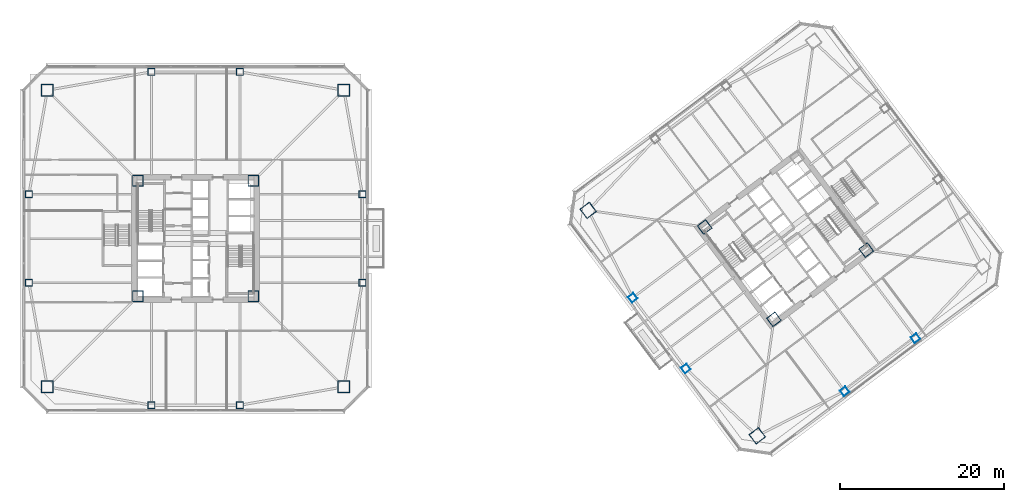
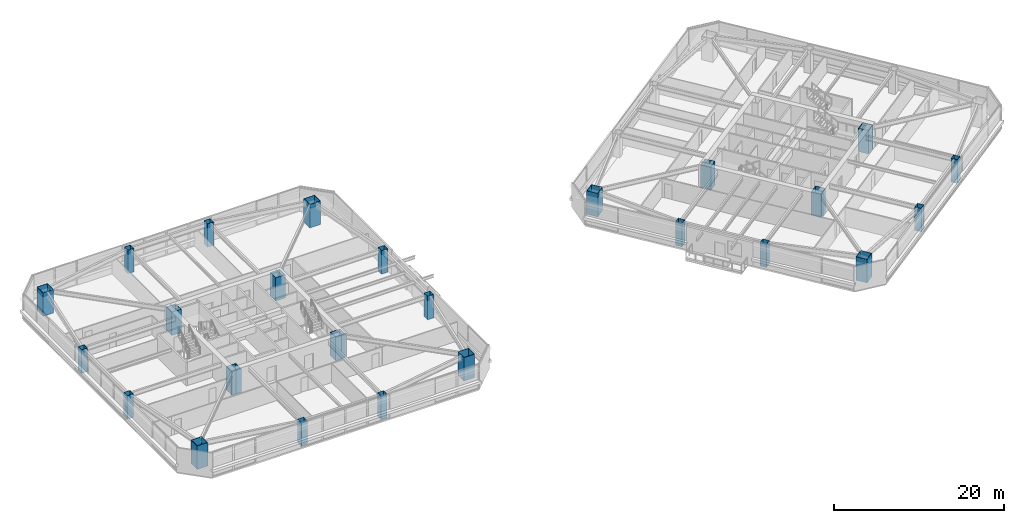
# One storey, part 1 of 44: 25 columns.
"""IFC4 building model written with IfcOpenShell, lengths in metres."""

import ifcopenshell
import ifcopenshell.guid

model = None  # the IFC model being written
_history = None  # IfcOwnerHistory: only IFC2X3 demands one
_inside = {}  # id of a spatial element -> (the spatial element, [elements in it])
_under = {}  # id of a project, library or spatial element -> (it, [spatial elements below it])
_declared = {}  # id of a project -> (the project, [libraries it declares])
_typed = {}  # id of a type object -> (the type object, [elements of that type])
_made_of = {}  # id of a material, layer set ... -> (it, [elements and type objects made of it])


def new_model(schema):
    """Start an empty IFC model of exactly this schema.

    Asked for "IFC4X3", IfcOpenShell would pick the latest addendum, in which some entities
    have other attributes; the version numbers below select the first issue.
    IFC2X3 requires an IfcOwnerHistory on every rooted entity: one is made here for all.
    """
    global model, _history
    if schema == "IFC4X3":
        model = ifcopenshell.file(schema_version=(4, 3, 0, 0))
    else:
        model = ifcopenshell.file(schema=schema)
    _inside.clear()
    _under.clear()
    _declared.clear()
    _typed.clear()
    _made_of.clear()
    _history = None
    if model.schema == "IFC2X3":
        org = make("IfcOrganization", Name="unknown")
        user = make(
            "IfcPersonAndOrganization",
            ThePerson=make("IfcPerson", FamilyName="unknown"),
            TheOrganization=org,
        )
        app = make(
            "IfcApplication",
            ApplicationDeveloper=org,
            Version="unknown",
            ApplicationFullName="unknown",
            ApplicationIdentifier="unknown",
        )
        _history = make(
            "IfcOwnerHistory",
            OwningUser=user,
            OwningApplication=app,
            ChangeAction="ADDED",
            CreationDate=0,
        )
    return model


def make(cls, **values):
    """One entity of the class cls with the attributes given. An attribute that is None is left unset."""
    return model.create_entity(
        cls, **{name: value for name, value in values.items() if value is not None}
    )


def rooted(cls, **values):
    """An entity with a GlobalId (a new one), such as an element, a storey or a relation."""
    return make(cls, GlobalId=ifcopenshell.guid.new(), OwnerHistory=_history, **values)


def si_unit(unit_type, name, prefix=None):
    """IfcSIUnit, for example si_unit("LENGTHUNIT", "METRE", prefix="MILLI")."""
    return make("IfcSIUnit", UnitType=unit_type, Prefix=prefix, Name=name)


def assignment(units):
    """IfcUnitAssignment: the units of a project."""
    return None if units is None else make("IfcUnitAssignment", Units=units)


def point(xyz):
    """IfcCartesianPoint."""
    return None if xyz is None else make("IfcCartesianPoint", Coordinates=xyz)


def direction(xyz):
    """IfcDirection."""
    return None if xyz is None else make("IfcDirection", DirectionRatios=xyz)


def frame(location, z_axis=None, x_axis=None):
    """IfcAxis2Placement3D, a coordinate frame: its origin and axes. An axis left out is left unset."""
    return make(
        "IfcAxis2Placement3D",
        Location=point(location),
        Axis=direction(z_axis),
        RefDirection=direction(x_axis),
    )


def frame_2d(location, x_axis=None):
    """IfcAxis2Placement2D, a coordinate frame in the plane: its origin and x axis."""
    return make(
        "IfcAxis2Placement2D", Location=point(location), RefDirection=direction(x_axis)
    )


def origin():
    """The frame at (0, 0, 0) with its axes left unset."""
    return frame((0.0, 0.0, 0.0))


def origin_2d():
    """The frame at (0, 0) in the plane with its x axis left unset."""
    return frame_2d((0.0, 0.0))


def place(relative_to, where):
    """IfcLocalPlacement: puts the frame where relative to a parent placement (None: the world)."""
    return make(
        "IfcLocalPlacement", PlacementRelTo=relative_to, RelativePlacement=where
    )


def context(
    kind, dimensions, precision=None, world=None, true_north=None, identifier=None
):
    """IfcGeometricRepresentationContext, for example the 3D "Model" context."""
    return make(
        "IfcGeometricRepresentationContext",
        ContextIdentifier=identifier,
        ContextType=kind,
        CoordinateSpaceDimension=dimensions,
        Precision=precision,
        WorldCoordinateSystem=world,
        TrueNorth=true_north,
    )


def subcontext(parent, identifier, kind, view, scale=None):
    """IfcGeometricRepresentationSubContext, for example "Body" below "Model"."""
    return make(
        "IfcGeometricRepresentationSubContext",
        ContextIdentifier=identifier,
        ContextType=kind,
        ParentContext=parent,
        TargetScale=scale,
        TargetView=view,
    )


def project(units=None, contexts=None):
    """IfcProject with its units and contexts."""
    return rooted(
        "IfcProject",
        Name="project",
        RepresentationContexts=contexts,
        UnitsInContext=assignment(units),
    )


def spatial(cls, under=None, at=None, **own):
    """A site, building, storey or space (cls), placed at a placement, below another one or the project."""
    s = rooted(cls, ObjectPlacement=at, **own)
    if under is not None:
        _under.setdefault(under.id(), (under, []))[1].append(s)
    return s


def profile(cls, at=None, kind="AREA", **sizes):
    """A parametric profile (cls). Its sizes go by their IFC names, for example OverallWidth=200.0."""
    return make(cls, ProfileType=kind, Position=at, **sizes)


def hollow_rectangle(**sizes):
    """IfcRectangleHollowProfileDef."""
    return profile("IfcRectangleHollowProfileDef", **sizes)


def extrude(swept, where, along, depth):
    """IfcExtrudedAreaSolid: the profile swept, set in the frame where, extruded along a direction by depth."""
    return make(
        "IfcExtrudedAreaSolid",
        SweptArea=swept,
        Position=where,
        ExtrudedDirection=direction(along),
        Depth=depth,
    )


def shape(context_of_items, identifier, shape_type, items):
    """IfcShapeRepresentation: the items that make up one representation, for example the "Body"."""
    return make(
        "IfcShapeRepresentation",
        ContextOfItems=context_of_items,
        RepresentationIdentifier=identifier,
        RepresentationType=shape_type,
        Items=items,
    )


def material(Name=None, Category=None):
    """IfcMaterial."""
    return make("IfcMaterial", Name=Name, Category=Category)


def material_profile(
    of_material, cross_section, Name=None, Category=None, Priority=None
):
    """IfcMaterialProfile: a cross section and its material."""
    return make(
        "IfcMaterialProfile",
        Name=Name,
        Material=of_material,
        Profile=cross_section,
        Priority=Priority,
        Category=Category,
    )


def profile_set(profiles, Name=None, composite=None):
    """IfcMaterialProfileSet."""
    return make(
        "IfcMaterialProfileSet",
        Name=Name,
        MaterialProfiles=profiles,
        CompositeProfile=composite,
    )


def made_of(thing, what):
    """Note that an element or type object is made of a material, layer set ...; save() writes the relation."""
    if what is not None:
        _made_of.setdefault(what.id(), (what, []))[1].append(thing)
    return thing


def type_object(cls, material=None, **own):
    """A type object (cls), such as IfcWallType, which elements share."""
    return made_of(rooted(cls, **own), material)


def element(
    cls,
    number,
    at=None,
    inside=None,
    cuts=None,
    type_object=None,
    material=None,
    context=None,
    identifier="Body",
    shape_type=None,
    held_by="IfcProductDefinitionShape",
    body=None,
    shapes=None,
    **own,
):
    """One element of the class cls, such as IfcWall. Its Tag is "e" and its number.

    at: its placement. inside: the storey or other place that contains it. cuts: it is an
    opening in that element (IfcRelVoidsElement). A single representation is given by context,
    identifier, shape_type and body (its items); several are given by shapes. held_by: the class
    of the entity that holds the representations. save() writes the other relations.
    """
    e = rooted(cls, Tag="e%d" % number, ObjectPlacement=at, **own)
    if body is not None:
        shapes = [shape(context, identifier, shape_type, body)]
    if shapes is not None:
        e.Representation = make(held_by, Representations=shapes)
    if inside is not None:
        _inside.setdefault(inside.id(), (inside, []))[1].append(e)
    if cuts is not None:
        rooted(
            "IfcRelVoidsElement", RelatingBuildingElement=cuts, RelatedOpeningElement=e
        )
    if type_object is not None:
        _typed.setdefault(type_object.id(), (type_object, []))[1].append(e)
    return made_of(e, material)


def aggregate(whole, parts):
    """IfcRelAggregates: a whole, such as a stair, and the parts it consists of."""
    return rooted("IfcRelAggregates", RelatingObject=whole, RelatedObjects=parts)


def save(model, path):
    """Write the relations noted so far, then the file.

    IfcRelAggregates (storeys below a building ...), IfcRelContainedInSpatialStructure (elements
    in a storey), IfcRelDefinesByType, IfcRelAssociatesMaterial and IfcRelDeclares: one each for
    every whole, place, type object, material and project.
    """
    for whole, parts in _under.values():
        aggregate(whole, parts)
    for where, things in _inside.values():
        rooted(
            "IfcRelContainedInSpatialStructure",
            RelatedElements=things,
            RelatingStructure=where,
        )
    for kind, things in _typed.values():
        rooted("IfcRelDefinesByType", RelatedObjects=things, RelatingType=kind)
    for what, things in _made_of.values():
        rooted("IfcRelAssociatesMaterial", RelatedObjects=things, RelatingMaterial=what)
    for by, libraries in _declared.values():
        rooted("IfcRelDeclares", RelatingContext=by, RelatedDefinitions=libraries)
    model.write(path)


model = new_model("IFC4")

# Units and contexts
model_context = context("Model", 3, precision=1e-05, world=origin(), true_north=direction((0.0, 1.0)))
body_context = subcontext(model_context, "Body", "Model", "MODEL_VIEW")
ifc_project = project(units=[si_unit("LENGTHUNIT", "METRE"), si_unit("AREAUNIT", "SQUARE_METRE"), si_unit("VOLUMEUNIT", "CUBIC_METRE"), si_unit("PLANEANGLEUNIT", "RADIAN"), si_unit("MASSUNIT", "GRAM", prefix="KILO")], contexts=[model_context])

# Site, building, storey
site_placement = place(None, origin())
site = spatial("IfcSite", under=ifc_project, at=site_placement, CompositionType="ELEMENT")
building_placement = place(site_placement, origin())
building = spatial("IfcBuilding", under=site, at=building_placement, Name="Tashvorn Skyway Center", CompositionType="ELEMENT")
storey_placement = place(building_placement, frame((0.0, 0.0, 84.949951171875)))
storey = spatial("IfcBuildingStorey", under=building, at=storey_placement, Name="L22", CompositionType="ELEMENT", Elevation=84.949951171875)

# Columns
ifc_material = material(Name="Steel ASTM A572 Grade 50", Category="steel")
ifc_material_profile_1 = material_profile(ifc_material, hollow_rectangle(XDim=1.300048828125, YDim=1.300048828125, WallThickness=0.050048828125, at=origin_2d()), Name="BOX1300x1300x50")
ifc_profile_set_1 = profile_set([ifc_material_profile_1], Name="Steel ASTM A572 Grade 50")
column_type_1 = type_object("IfcColumnType", Name="COL-BOX1300x1300x50", PredefinedType="COLUMN", material=ifc_profile_set_1)
for number, where, z_axis, x_axis, name in (
    (1, (34.949951171875, 24.949951171875, 0.0), (0.0, 0.0, 1.0), (1.0, 0.0, 0.0), "Tower 1 L22 Core Corner Column CC-SW"),
    (2, (49.050048828125, 24.949951171875, 0.0), (0.0, 0.0, 1.0), (1.0, 0.0, 0.0), "Tower 1 L22 Core Corner Column CC-SE"),
    (3, (49.050048828125, 39.050048828125, 0.0), (0.0, 0.0, 1.0), (1.0, 0.0, 0.0), "Tower 1 L22 Core Corner Column CC-NE"),
    (4, (34.949951171875, 39.050048828125, 0.0), (0.0, 0.0, 1.0), (1.0, 0.0, 0.0), "Tower 1 L22 Core Corner Column CC-NW"),
    (5, (112.590087890625, 22.1298828125, 0.0), (0.0, 0.0, 1.0), (0.799999996291, 0.600000004945, 0.0), "Tower 2 L22 Core Corner Column CC-SW"),
    (6, (123.8701171875, 30.590087890625, 0.0), (0.0, 0.0, 1.0), (0.799999996291, 0.600000004945, 0.0), "Tower 2 L22 Core Corner Column CC-SE"),
    (7, (104.1298828125, 33.409912109375, 0.0), (0.0, 0.0, 1.0), (0.799999996291, 0.600000004945, 0.0), "Tower 2 L22 Core Corner Column CC-NW"),
):
    element("IfcColumn", number, at=place(storey_placement, frame(where, z_axis=z_axis, x_axis=x_axis)), inside=storey, type_object=column_type_1, Name=name, PredefinedType="COLUMN", context=body_context, shape_type="SweptSolid", body=[
        extrude(hollow_rectangle(XDim=1.300048828125, YDim=1.300048828125, WallThickness=0.050048828125, at=origin_2d()), origin(), (0.0, 0.0, 1.0), 3.35009765625),
    ])
ifc_material_profile_2 = material_profile(ifc_material, hollow_rectangle(XDim=1.449951171875, YDim=1.449951171875, WallThickness=0.054931640625, at=origin_2d()), Name="BOX1450x1450x55")
ifc_profile_set_2 = profile_set([ifc_material_profile_2], Name="Steel ASTM A572 Grade 50")
column_type_2 = type_object("IfcColumnType", Name="COL-BOX1450x1450x55", PredefinedType="COLUMN", material=ifc_profile_set_2)
for number, where, z_axis, x_axis, name in (
    (8, (23.89990234375, 13.89990234375, 0.0), (0.0, 0.0, 1.0), (1.0, 0.0, 0.0), "Tower 1 L22 Mega-Column MC-SW"),
    (9, (60.10009765625, 13.89990234375, 0.0), (0.0, 0.0, 1.0), (1.0, 0.0, 0.0), "Tower 1 L22 Mega-Column MC-SE"),
    (10, (60.10009765625, 50.10009765625, 0.0), (0.0, 0.0, 1.0), (1.0, 0.0, 0.0), "Tower 1 L22 Mega-Column MC-NE"),
    (11, (23.89990234375, 50.10009765625, 0.0), (0.0, 0.0, 1.0), (1.0, 0.0, 0.0), "Tower 1 L22 Mega-Column MC-NW"),
    (12, (110.56005859375, 7.919921875, 0.0), (0.0, 0.0, 1.0), (0.799999996291, 0.600000004945, 0.0), "Tower 2 L22 Mega-Column MC-SW"),
    (13, (89.919921875, 35.43994140625, 0.0), (0.0, 0.0, 1.0), (0.799999996291, 0.600000004945, 0.0), "Tower 2 L22 Mega-Column MC-NW"),
):
    element("IfcColumn", number, at=place(storey_placement, frame(where, z_axis=z_axis, x_axis=x_axis)), inside=storey, type_object=column_type_2, Name=name, PredefinedType="COLUMN", context=body_context, shape_type="SweptSolid", body=[
        extrude(hollow_rectangle(XDim=1.449951171875, YDim=1.449951171875, WallThickness=0.054931640625, at=origin_2d()), origin(), (0.0, 0.0, 1.0), 3.35009765625),
    ])
ifc_material_profile_3 = material_profile(ifc_material, hollow_rectangle(XDim=0.85009765625, YDim=0.85009765625, WallThickness=0.034912109375, at=origin_2d()), Name="BOX850x850x35")
ifc_profile_set_3 = profile_set([ifc_material_profile_3], Name="Steel ASTM A572 Grade 50")
column_type_3 = type_object("IfcColumnType", Name="COL-BOX850x850x35", PredefinedType="COLUMN", material=ifc_profile_set_3)
for number, where, z_axis, x_axis, name in (
    (14, (36.60009765625, 11.64990234375, 0.0), (0.0, 0.0, 1.0), (1.0, 0.0, 0.0), "Tower 1 L22 Perimeter Column FC-S1"),
    (15, (47.39990234375, 11.64990234375, 0.0), (0.0, 0.0, 1.0), (1.0, 0.0, 0.0), "Tower 1 L22 Perimeter Column FC-S2"),
    (16, (62.35009765625, 26.60009765625, 0.0), (0.0, 0.0, 1.0), (1.0, 0.0, 0.0), "Tower 1 L22 Perimeter Column FC-E1"),
    (17, (62.35009765625, 37.39990234375, 0.0), (0.0, 0.0, 1.0), (1.0, 0.0, 0.0), "Tower 1 L22 Perimeter Column FC-E2"),
    (18, (47.39990234375, 52.35009765625, 0.0), (0.0, 0.0, 1.0), (1.0, 0.0, 0.0), "Tower 1 L22 Perimeter Column FC-N1"),
    (19, (36.60009765625, 52.35009765625, 0.0), (0.0, 0.0, 1.0), (1.0, 0.0, 0.0), "Tower 1 L22 Perimeter Column FC-N2"),
    (20, (21.64990234375, 37.39990234375, 0.0), (0.0, 0.0, 1.0), (1.0, 0.0, 0.0), "Tower 1 L22 Perimeter Column FC-W1"),
    (21, (21.64990234375, 26.60009765625, 0.0), (0.0, 0.0, 1.0), (1.0, 0.0, 0.0), "Tower 1 L22 Perimeter Column FC-W2"),
    (22, (121.22998046875, 13.360107421875, 0.0), (0.0, 0.0, 1.0), (0.799999996291, 0.600000004945, 0.0), "Tower 2 L22 Perimeter Column FC-S1"),
    (23, (129.8701171875, 19.840087890625, 0.0), (0.0, 0.0, 1.0), (0.799999996291, 0.600000004945, 0.0), "Tower 2 L22 Perimeter Column FC-S2"),
    (24, (95.360107421875, 24.77001953125, 0.0), (0.0, 0.0, 1.0), (0.799999996291, 0.600000004945, 0.0), "Tower 2 L22 Perimeter Column FC-W1"),
    (25, (101.840087890625, 16.1298828125, 0.0), (0.0, 0.0, 1.0), (0.799999996291, 0.600000004945, 0.0), "Tower 2 L22 Perimeter Column FC-W2"),
):
    element("IfcColumn", number, at=place(storey_placement, frame(where, z_axis=z_axis, x_axis=x_axis)), inside=storey, type_object=column_type_3, Name=name, PredefinedType="COLUMN", context=body_context, shape_type="SweptSolid", body=[
        extrude(hollow_rectangle(XDim=0.85009765625, YDim=0.85009765625, WallThickness=0.034912109375, at=origin_2d()), origin(), (0.0, 0.0, 1.0), 3.35009765625),
    ])

save(model, "model.ifc")
